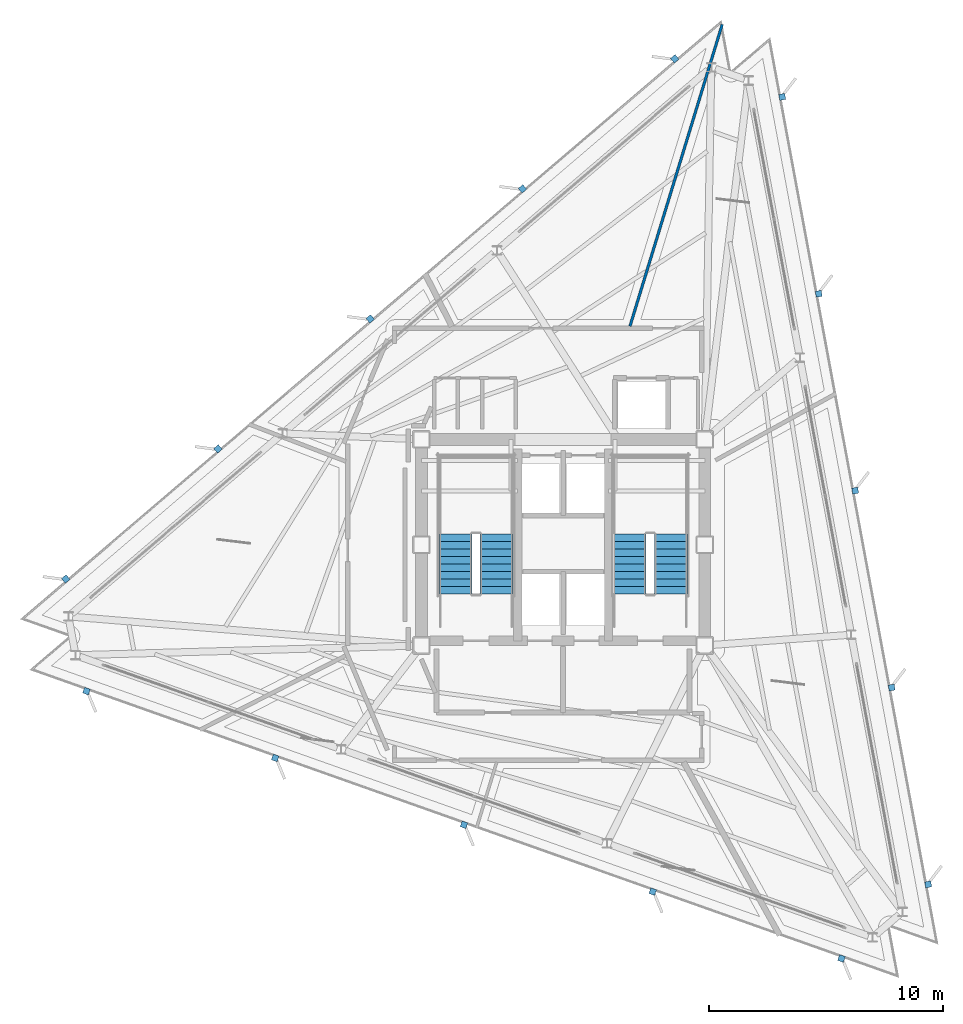
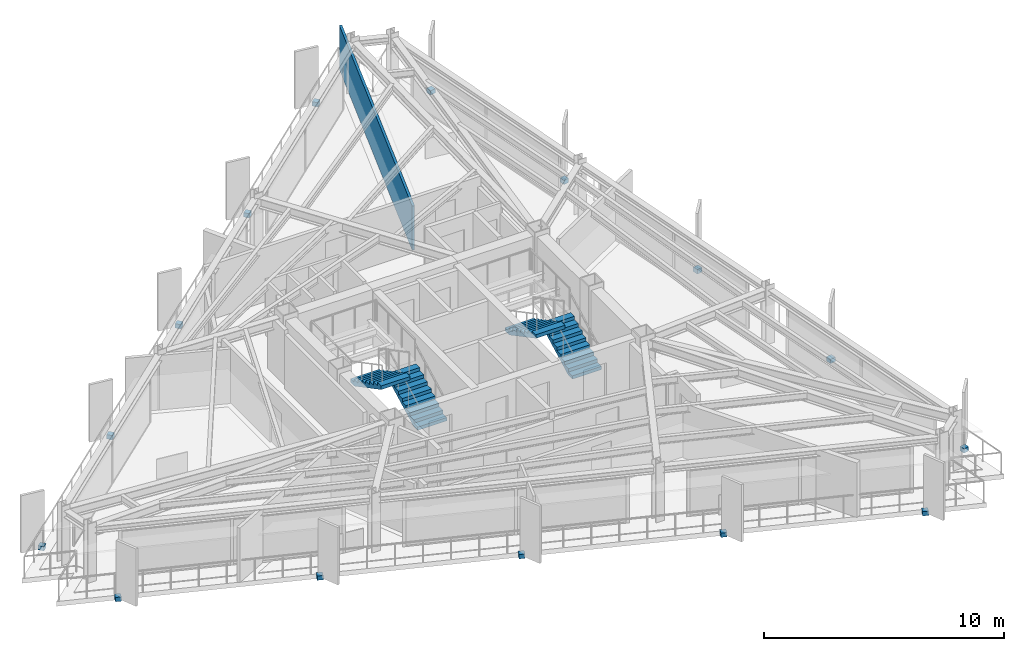
# One storey, part 10 of 14: 15 discrete accessories, 4 stair flights, 1 wall, 2 elements without a shape of their own.
"""IFC4 building model written with IfcOpenShell, lengths in metres."""

from ifc_helpers import new_model, si_unit, direction, frame, frame_2d, origin, origin_2d, place, context, subcontext, project, spatial, polyline, rectangle, outline, extrude, material, layer, layer_set, type_object, element, aggregate, save


model = new_model("IFC4")

# Units and contexts
model_context = context("Model", 3, precision=1e-05, world=origin(), true_north=direction((0.0, 1.0)))
body_context = subcontext(model_context, "Body", "Model", "MODEL_VIEW")
ifc_project = project(units=[si_unit("LENGTHUNIT", "METRE"), si_unit("AREAUNIT", "SQUARE_METRE"), si_unit("VOLUMEUNIT", "CUBIC_METRE"), si_unit("PLANEANGLEUNIT", "RADIAN"), si_unit("MASSUNIT", "GRAM", prefix="KILO")], contexts=[model_context])

# Site, building, storey
site_placement = place(None, origin())
site = spatial("IfcSite", under=ifc_project, at=site_placement, CompositionType="ELEMENT")
building_placement = place(site_placement, origin())
building = spatial("IfcBuilding", under=site, at=building_placement, Name="Rocaltana Carrier Exchange", CompositionType="ELEMENT")
storey_placement = place(building_placement, frame((0.0, 0.0, 181.43994140625)))
storey = spatial("IfcBuildingStorey", under=building, at=storey_placement, Name="L57", CompositionType="ELEMENT", Elevation=181.43994140625)

# Wall
ifc_material_1 = material(Name="Aluminium 6063-T6 & Acoustic Glass", Category="aluminium")
ifc_layer_1 = layer(ifc_material_1, 0.114990234375)
ifc_layer_set_1 = layer_set([ifc_layer_1], Name="Aluminium 6063-T6 & Acoustic Glass")
wall_type = type_object("IfcWallType", Name="Demountable Glazed Lab Partition 115", PredefinedType="MOVABLE", material=ifc_layer_set_1)
wall_placement = place(storey_placement, frame((2.8525390625, 9.330078125, 0.0), z_axis=(0.0, 0.0, 1.0), x_axis=(0.292365790083, 0.95630656423, 0.0)))
element("IfcWall", 1, at=wall_placement, inside=storey, type_object=wall_type, Name="L57 Suite Divider Wall D5", PredefinedType="MOVABLE", context=body_context, shape_type="SweptSolid", body=[
    extrude(rectangle(XDim=13.478515625, YDim=0.114990234375, at=frame_2d((6.7392578125, 0.0))), origin(), (0.0, 0.0, 1.0), 2.253173828125),
])

# Stair, stair flights
ifc_material_2 = material(Name="Precast concrete C45/55", Category="concrete")
stair_type = type_object("IfcStairType", Name="Standard Dog-Leg Stair 160", PredefinedType="HALF_TURN_STAIR", material=ifc_material_2)
stair_1_placement = place(storey_placement, origin())
stair_1 = element("IfcStair", 2, at=stair_1_placement, inside=storey, type_object=stair_type, Name="L57 Core West Exit Stair ST-1", PredefinedType="HALF_TURN_STAIR")
ifc_material_3 = material(Name="Precast concrete C45/55", Category="concrete")
stair_flight_type = type_object("IfcStairFlightType", Name="Precast Stair Flight 160", PredefinedType="STRAIGHT", material=ifc_material_3)
stair_flight_1_placement = place(storey_placement, frame((-2.840087890625, -2.10009765625, 0.0), z_axis=(0.0, 0.0, 1.0), x_axis=(0.0, 1.0, 0.0)))
stair_flight_1 = element("IfcStairFlight", 3, at=stair_flight_1_placement, type_object=stair_flight_type, Name="ST-1 flight 1", NumberOfRisers=9, NumberOfTreads=8, PredefinedType="STRAIGHT", RiserHeight=0.168888889, TreadLength=0.32, context=body_context, shape_type="SweptSolid", body=[
    extrude(outline(polyline([(0.0, 0.0), (0.0, 0.1689453125), (0.320068359375, 0.1689453125), (0.320068359375, 0.337890625), (0.639892578125, 0.337890625), (0.639892578125, 0.506591796875), (0.9599609375, 0.506591796875), (0.9599609375, 0.675537109375), (1.280029296875, 0.675537109375), (1.280029296875, 0.844482421875), (1.60009765625, 0.844482421875), (1.60009765625, 1.013427734375), (1.919921875, 1.013427734375), (1.919921875, 1.18212890625), (2.239990234375, 1.18212890625), (2.239990234375, 1.35107421875), (2.56005859375, 1.35107421875), (2.56005859375, 1.52001953125), (2.56005859375, 1.17041015625), (0.342529296875, 0.0), (0.0, 0.0)])), frame((0.0, 0.699951171875, 0.0), z_axis=(0.0, -1.0, 0.0), x_axis=(1.0, 0.0, 0.0)), (0.0, 0.0, 1.0), 1.39990234375),
])
stair_flight_2_placement = place(storey_placement, frame((-4.60009765625, 0.4599609375, 1.52001953125), z_axis=(0.0, 0.0, 1.0), x_axis=(0.0, -1.0, 0.0)))
stair_flight_2 = element("IfcStairFlight", 4, at=stair_flight_2_placement, type_object=stair_flight_type, Name="ST-1 flight 2", NumberOfRisers=9, NumberOfTreads=8, PredefinedType="STRAIGHT", RiserHeight=0.168888889, TreadLength=0.32, context=body_context, shape_type="SweptSolid", body=[
    extrude(outline(polyline([(0.0, 0.0), (0.0, 0.1689453125), (0.320068359375, 0.1689453125), (0.320068359375, 0.337890625), (0.639892578125, 0.337890625), (0.639892578125, 0.506591796875), (0.9599609375, 0.506591796875), (0.9599609375, 0.675537109375), (1.280029296875, 0.675537109375), (1.280029296875, 0.844482421875), (1.60009765625, 0.844482421875), (1.60009765625, 1.013427734375), (1.919921875, 1.013427734375), (1.919921875, 1.18212890625), (2.239990234375, 1.18212890625), (2.239990234375, 1.35107421875), (2.56005859375, 1.35107421875), (2.56005859375, 1.52001953125), (2.56005859375, 1.17041015625), (0.342529296875, 0.0), (0.0, 0.0)])), frame((0.0, 0.699951171875, 0.0), z_axis=(0.0, -1.0, 0.0), x_axis=(1.0, 0.0, 0.0)), (0.0, 0.0, 1.0), 1.39990234375),
])
aggregate(stair_1, [stair_flight_1, stair_flight_2])

stair_2_placement = place(storey_placement, origin())
stair_2 = element("IfcStair", 5, at=stair_2_placement, inside=storey, type_object=stair_type, Name="L57 Core East Exit Stair ST-2", PredefinedType="HALF_TURN_STAIR")
stair_flight_3_placement = place(storey_placement, frame((4.60009765625, -2.10009765625, 0.0), z_axis=(0.0, 0.0, 1.0), x_axis=(0.0, 1.0, 0.0)))
stair_flight_3 = element("IfcStairFlight", 6, at=stair_flight_3_placement, type_object=stair_flight_type, Name="ST-2 flight 1", NumberOfRisers=9, NumberOfTreads=8, PredefinedType="STRAIGHT", RiserHeight=0.168888889, TreadLength=0.32, context=body_context, shape_type="SweptSolid", body=[
    extrude(outline(polyline([(0.0, 0.0), (0.0, 0.1689453125), (0.320068359375, 0.1689453125), (0.320068359375, 0.337890625), (0.639892578125, 0.337890625), (0.639892578125, 0.506591796875), (0.9599609375, 0.506591796875), (0.9599609375, 0.675537109375), (1.280029296875, 0.675537109375), (1.280029296875, 0.844482421875), (1.60009765625, 0.844482421875), (1.60009765625, 1.013427734375), (1.919921875, 1.013427734375), (1.919921875, 1.18212890625), (2.239990234375, 1.18212890625), (2.239990234375, 1.35107421875), (2.56005859375, 1.35107421875), (2.56005859375, 1.52001953125), (2.56005859375, 1.17041015625), (0.342529296875, 0.0), (0.0, 0.0)])), frame((0.0, 0.699951171875, 0.0), z_axis=(0.0, -1.0, 0.0), x_axis=(1.0, 0.0, 0.0)), (0.0, 0.0, 1.0), 1.39990234375),
])
stair_flight_4_placement = place(storey_placement, frame((2.840087890625, 0.4599609375, 1.52001953125), z_axis=(0.0, 0.0, 1.0), x_axis=(0.0, -1.0, 0.0)))
stair_flight_4 = element("IfcStairFlight", 7, at=stair_flight_4_placement, type_object=stair_flight_type, Name="ST-2 flight 2", NumberOfRisers=9, NumberOfTreads=8, PredefinedType="STRAIGHT", RiserHeight=0.168888889, TreadLength=0.32, context=body_context, shape_type="SweptSolid", body=[
    extrude(outline(polyline([(0.0, 0.0), (0.0, 0.1689453125), (0.320068359375, 0.1689453125), (0.320068359375, 0.337890625), (0.639892578125, 0.337890625), (0.639892578125, 0.506591796875), (0.9599609375, 0.506591796875), (0.9599609375, 0.675537109375), (1.280029296875, 0.675537109375), (1.280029296875, 0.844482421875), (1.60009765625, 0.844482421875), (1.60009765625, 1.013427734375), (1.919921875, 1.013427734375), (1.919921875, 1.18212890625), (2.239990234375, 1.18212890625), (2.239990234375, 1.35107421875), (2.56005859375, 1.35107421875), (2.56005859375, 1.52001953125), (2.56005859375, 1.17041015625), (0.342529296875, 0.0), (0.0, 0.0)])), frame((0.0, 0.699951171875, 0.0), z_axis=(0.0, -1.0, 0.0), x_axis=(1.0, 0.0, 0.0)), (0.0, 0.0, 1.0), 1.39990234375),
])
aggregate(stair_2, [stair_flight_3, stair_flight_4])

# Discrete accessories
ifc_material_4 = material(Name="Brushed Architectural Stainless Metal", Category="steel")
ifc_layer_2 = layer(ifc_material_4, 0.219970703125)
ifc_layer_set_2 = layer_set([ifc_layer_2], Name="Brushed Architectural Stainless Metal")
discrete_accessory_type = type_object("IfcDiscreteAccessoryType", Name="Stainless Fin Slab-Edge Bracket 260x260x220", PredefinedType="BRACKET", material=ifc_layer_set_2)
for number, where, z_axis, x_axis, name in (
    (8, (15.587890625, -14.502197265625, -0.2099609375), (0.0, 0.0, 1.0), (-0.182235525492, 0.983254907564, 0.0), "L57 Sandstone Fin Edge Bracket F1-01"),
    (9, (14.02978515625, -6.095458984375, -0.2099609375), (0.0, 0.0, 1.0), (-0.182235525492, 0.983254907564, 0.0), "L57 Sandstone Fin Edge Bracket F1-02"),
    (10, (12.4716796875, 2.3115234375, -0.2099609375), (0.0, 0.0, 1.0), (-0.182235525492, 0.983254907564, 0.0), "L57 Sandstone Fin Edge Bracket F1-03"),
    (11, (10.91357421875, 10.71826171875, -0.2099609375), (0.0, 0.0, 1.0), (-0.182235525492, 0.983254907564, 0.0), "L57 Sandstone Fin Edge Bracket F1-04"),
    (12, (9.355224609375, 19.125, -0.2099609375), (0.0, 0.0, 1.0), (-0.182235525492, 0.983254907564, 0.0), "L57 Sandstone Fin Edge Bracket F1-05"),
    (13, (4.765380859375, 20.75048828125, -0.2099609375), (0.0, 0.0, 1.0), (-0.7604059656, -0.64944804833, 0.0), "L57 Sandstone Fin Edge Bracket F2-01"),
    (14, (-1.736083984375, 15.19775390625, -0.2099609375), (0.0, 0.0, 1.0), (-0.7604059656, -0.64944804833, 0.0), "L57 Sandstone Fin Edge Bracket F2-02"),
    (15, (-8.237548828125, 9.64501953125, -0.2099609375), (0.0, 0.0, 1.0), (-0.7604059656, -0.64944804833, 0.0), "L57 Sandstone Fin Edge Bracket F2-03"),
    (16, (-14.739013671875, 4.09228515625, -0.2099609375), (0.0, 0.0, 1.0), (-0.7604059656, -0.64944804833, 0.0), "L57 Sandstone Fin Edge Bracket F2-04"),
    (17, (-21.240478515625, -1.460693359375, -0.2099609375), (0.0, 0.0, 1.0), (-0.7604059656, -0.64944804833, 0.0), "L57 Sandstone Fin Edge Bracket F2-05"),
    (18, (-20.353271484375, -6.248291015625, -0.2099609375), (0.0, 0.0, 1.0), (0.942641491092, -0.333806859234, 0.0), "L57 Sandstone Fin Edge Bracket F3-01"),
    (19, (-12.293701171875, -9.102294921875, -0.2099609375), (0.0, 0.0, 1.0), (0.942641491092, -0.333806859234, 0.0), "L57 Sandstone Fin Edge Bracket F3-02"),
    (20, (-4.23388671875, -11.956298828125, -0.2099609375), (0.0, 0.0, 1.0), (0.942641491092, -0.333806859234, 0.0), "L57 Sandstone Fin Edge Bracket F3-03"),
    (21, (3.82568359375, -14.810546875, -0.2099609375), (0.0, 0.0, 1.0), (0.942641491092, -0.333806859234, 0.0), "L57 Sandstone Fin Edge Bracket F3-04"),
    (22, (11.88525390625, -17.66455078125, -0.2099609375), (0.0, 0.0, 1.0), (0.942641491092, -0.333806859234, 0.0), "L57 Sandstone Fin Edge Bracket F3-05"),
):
    element("IfcDiscreteAccessory", number, at=place(storey_placement, frame(where, z_axis=z_axis, x_axis=x_axis)), inside=storey, type_object=discrete_accessory_type, Name=name, PredefinedType="BRACKET", context=body_context, shape_type="SweptSolid", body=[
        extrude(rectangle(XDim=0.260009765625, YDim=0.260009765625, at=origin_2d()), origin(), (0.0, 0.0, 1.0), 0.219970703125),
    ])

save(model, "model.ifc")
